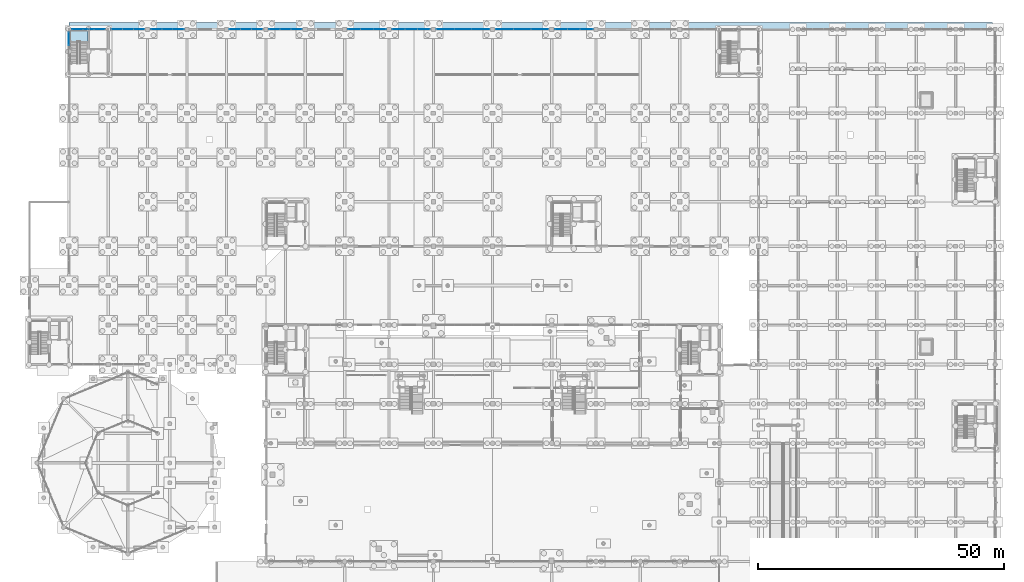
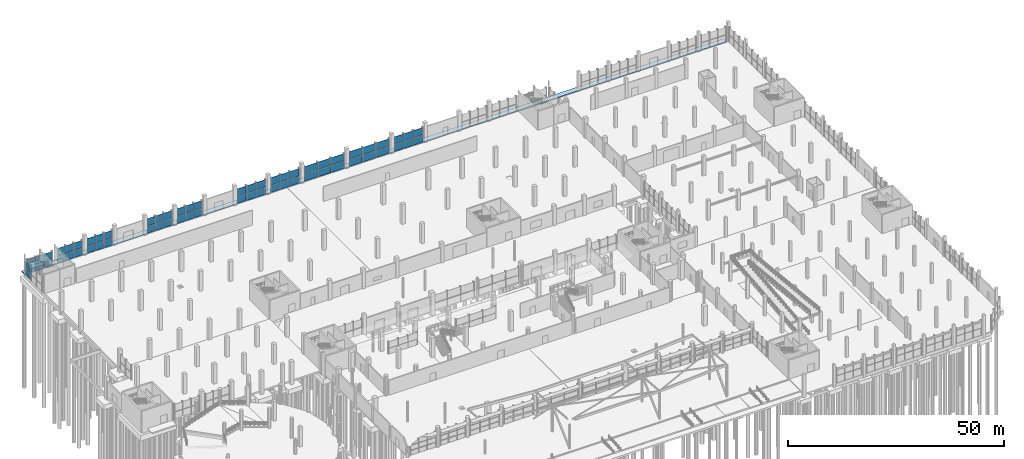
# One storey, part 70 of 98: 62 plates, 2 slabs, 12 elements without a shape of their own.
"""IFC4 building model written with IfcOpenShell, lengths in metres."""

from ifc_helpers import new_model, si_unit, derived_unit, direction, frame, origin, origin_2d, place, context, subcontext, project, spatial, polyline, rectangle, outline, extrude, material, layer, layer_set, type_object, element, aggregate, save


model = new_model("IFC4")

# Units and contexts
model_context = context("Model", 3, precision=1e-05, world=origin(), true_north=direction((0.0, 1.0)))
body_context = subcontext(model_context, "Body", "Model", "MODEL_VIEW")
ifc_project = project(units=[si_unit("LENGTHUNIT", "METRE"), si_unit("AREAUNIT", "SQUARE_METRE"), si_unit("VOLUMEUNIT", "CUBIC_METRE"), si_unit("PLANEANGLEUNIT", "RADIAN"), si_unit("MASSUNIT", "GRAM", prefix="KILO"), si_unit("THERMODYNAMICTEMPERATUREUNIT", "KELVIN"), derived_unit("THERMALTRANSMITTANCEUNIT", [(si_unit("POWERUNIT", "WATT"), 1), (si_unit("AREAUNIT", "SQUARE_METRE"), -1), (si_unit("THERMODYNAMICTEMPERATUREUNIT", "KELVIN"), -1)])], contexts=[model_context])

# Site, building, storey
site_placement = place(None, origin())
site = spatial("IfcSite", under=ifc_project, at=site_placement, CompositionType="ELEMENT")
building_placement = place(site_placement, origin())
building = spatial("IfcBuilding", under=site, at=building_placement, Name="Haiyu Intermodal Mobility Hub", CompositionType="ELEMENT")
storey_placement = place(building_placement, origin())
storey = spatial("IfcBuildingStorey", under=building, at=storey_placement, Name="L00", CompositionType="ELEMENT", Elevation=0.0)

# Curtain wall, plates
ifc_material_1 = material(Name="Low-e laminated insulating glass", Category="glass")
ifc_layer_1 = layer(ifc_material_1, 0.219970703125)
ifc_layer_set_1 = layer_set([ifc_layer_1], Name="Low-e laminated insulating glass")
curtain_wall_type_1 = type_object("IfcCurtainWallType", Name="CW-CW01", PredefinedType="NOTDEFINED", material=ifc_layer_set_1)
curtain_wall_1_placement = place(storey_placement, origin())
curtain_wall_1 = element("IfcCurtainWall", 1, at=curtain_wall_1_placement, inside=storey, type_object=curtain_wall_type_1, Name="Curtain Wall CW-V4N-L00-038", PredefinedType="NOTDEFINED")
ifc_layer_2 = layer(ifc_material_1, 0.035888671875)
ifc_layer_set_2 = layer_set([ifc_layer_2], Name="Low-e laminated insulating glass")
plate_type_1 = type_object("IfcPlateType", Name="PLT-CP01", PredefinedType="CURTAIN_PANEL", material=ifc_layer_set_2)
plate_1_placement = place(storey_placement, frame((36.22705078125, 148.0, 0.03515625), z_axis=(0.0, 0.0, 1.0), x_axis=(-1.0, 0.0, 0.0)))
plate_1 = element("IfcPlate", 2, at=plate_1_placement, type_object=plate_type_1, Name="CW-V4N-L00-038-PN01", PredefinedType="CURTAIN_PANEL", context=body_context, shape_type="SweptSolid", body=[
    extrude(rectangle(XDim=2.136962890625, YDim=0.035888671875, at=origin_2d()), origin(), (0.0, 0.0, 1.0), 2.030029296875),
])
plate_2_placement = place(storey_placement, frame((34.0, 148.0, 0.03515625), z_axis=(0.0, 0.0, 1.0), x_axis=(-1.0, 0.0, 0.0)))
plate_2 = element("IfcPlate", 3, at=plate_2_placement, type_object=plate_type_1, Name="CW-V4N-L00-038-PN03", PredefinedType="CURTAIN_PANEL", context=body_context, shape_type="SweptSolid", body=[
    extrude(rectangle(XDim=2.136962890625, YDim=0.035888671875, at=origin_2d()), origin(), (0.0, 0.0, 1.0), 2.030029296875),
])
plate_3_placement = place(storey_placement, frame((31.77294921875, 148.0, 0.03515625), z_axis=(0.0, 0.0, 1.0), x_axis=(-1.0, 0.0, 0.0)))
plate_3 = element("IfcPlate", 4, at=plate_3_placement, type_object=plate_type_1, Name="CW-V4N-L00-038-PN05", PredefinedType="CURTAIN_PANEL", context=body_context, shape_type="SweptSolid", body=[
    extrude(rectangle(XDim=2.136962890625, YDim=0.035888671875, at=origin_2d()), origin(), (0.0, 0.0, 1.0), 2.030029296875),
])

curtain_wall_2_placement = place(storey_placement, origin())
curtain_wall_2 = element("IfcCurtainWall", 5, at=curtain_wall_2_placement, inside=storey, type_object=curtain_wall_type_1, Name="Curtain Wall CW-V4N-L00-039", PredefinedType="NOTDEFINED")
plate_4_placement = place(storey_placement, frame((44.22705078125, 148.0, 0.03515625), z_axis=(0.0, 0.0, 1.0), x_axis=(-1.0, 0.0, 0.0)))
plate_4 = element("IfcPlate", 6, at=plate_4_placement, type_object=plate_type_1, Name="CW-V4N-L00-039-PN01", PredefinedType="CURTAIN_PANEL", context=body_context, shape_type="SweptSolid", body=[
    extrude(rectangle(XDim=2.136962890625, YDim=0.035888671875, at=origin_2d()), origin(), (0.0, 0.0, 1.0), 2.030029296875),
])
plate_5_placement = place(storey_placement, frame((42.0, 148.0, 0.03515625), z_axis=(0.0, 0.0, 1.0), x_axis=(-1.0, 0.0, 0.0)))
plate_5 = element("IfcPlate", 7, at=plate_5_placement, type_object=plate_type_1, Name="CW-V4N-L00-039-PN03", PredefinedType="CURTAIN_PANEL", context=body_context, shape_type="SweptSolid", body=[
    extrude(rectangle(XDim=2.136962890625, YDim=0.035888671875, at=origin_2d()), origin(), (0.0, 0.0, 1.0), 2.030029296875),
])
plate_6_placement = place(storey_placement, frame((39.77294921875, 148.0, 0.03515625), z_axis=(0.0, 0.0, 1.0), x_axis=(-1.0, 0.0, 0.0)))
plate_6 = element("IfcPlate", 8, at=plate_6_placement, type_object=plate_type_1, Name="CW-V4N-L00-039-PN05", PredefinedType="CURTAIN_PANEL", context=body_context, shape_type="SweptSolid", body=[
    extrude(rectangle(XDim=2.136962890625, YDim=0.035888671875, at=origin_2d()), origin(), (0.0, 0.0, 1.0), 2.030029296875),
])

curtain_wall_3_placement = place(storey_placement, origin())
curtain_wall_3 = element("IfcCurtainWall", 9, at=curtain_wall_3_placement, inside=storey, type_object=curtain_wall_type_1, Name="Curtain Wall CW-V4N-L00-040", PredefinedType="NOTDEFINED")
plate_7_placement = place(storey_placement, frame((60.22705078125, 148.0, 0.03515625), z_axis=(0.0, 0.0, 1.0), x_axis=(-1.0, 0.0, 0.0)))
plate_7 = element("IfcPlate", 10, at=plate_7_placement, type_object=plate_type_1, Name="CW-V4N-L00-040-PN01", PredefinedType="CURTAIN_PANEL", context=body_context, shape_type="SweptSolid", body=[
    extrude(rectangle(XDim=2.136962890625, YDim=0.035888671875, at=origin_2d()), origin(), (0.0, 0.0, 1.0), 2.030029296875),
])
plate_8_placement = place(storey_placement, frame((58.0, 148.0, 0.03515625), z_axis=(0.0, 0.0, 1.0), x_axis=(-1.0, 0.0, 0.0)))
plate_8 = element("IfcPlate", 11, at=plate_8_placement, type_object=plate_type_1, Name="CW-V4N-L00-040-PN03", PredefinedType="CURTAIN_PANEL", context=body_context, shape_type="SweptSolid", body=[
    extrude(rectangle(XDim=2.136962890625, YDim=0.035888671875, at=origin_2d()), origin(), (0.0, 0.0, 1.0), 2.030029296875),
])
plate_9_placement = place(storey_placement, frame((55.77294921875, 148.0, 0.03515625), z_axis=(0.0, 0.0, 1.0), x_axis=(-1.0, 0.0, 0.0)))
plate_9 = element("IfcPlate", 12, at=plate_9_placement, type_object=plate_type_1, Name="CW-V4N-L00-040-PN05", PredefinedType="CURTAIN_PANEL", context=body_context, shape_type="SweptSolid", body=[
    extrude(rectangle(XDim=2.136962890625, YDim=0.035888671875, at=origin_2d()), origin(), (0.0, 0.0, 1.0), 2.030029296875),
])

curtain_wall_4_placement = place(storey_placement, origin())
curtain_wall_4 = element("IfcCurtainWall", 13, at=curtain_wall_4_placement, inside=storey, type_object=curtain_wall_type_1, Name="Curtain Wall CW-V4N-L00-041", PredefinedType="NOTDEFINED")
plate_10_placement = place(storey_placement, frame((68.22705078125, 148.0, 0.03515625), z_axis=(0.0, 0.0, 1.0), x_axis=(-1.0, 0.0, 0.0)))
plate_10 = element("IfcPlate", 14, at=plate_10_placement, type_object=plate_type_1, Name="CW-V4N-L00-041-PN01", PredefinedType="CURTAIN_PANEL", context=body_context, shape_type="SweptSolid", body=[
    extrude(rectangle(XDim=2.136962890625, YDim=0.035888671875, at=origin_2d()), origin(), (0.0, 0.0, 1.0), 2.030029296875),
])
plate_11_placement = place(storey_placement, frame((66.0, 148.0, 0.03515625), z_axis=(0.0, 0.0, 1.0), x_axis=(-1.0, 0.0, 0.0)))
plate_11 = element("IfcPlate", 15, at=plate_11_placement, type_object=plate_type_1, Name="CW-V4N-L00-041-PN03", PredefinedType="CURTAIN_PANEL", context=body_context, shape_type="SweptSolid", body=[
    extrude(rectangle(XDim=2.136962890625, YDim=0.035888671875, at=origin_2d()), origin(), (0.0, 0.0, 1.0), 2.030029296875),
])
plate_12_placement = place(storey_placement, frame((63.77294921875, 148.0, 0.03515625), z_axis=(0.0, 0.0, 1.0), x_axis=(-1.0, 0.0, 0.0)))
plate_12 = element("IfcPlate", 16, at=plate_12_placement, type_object=plate_type_1, Name="CW-V4N-L00-041-PN05", PredefinedType="CURTAIN_PANEL", context=body_context, shape_type="SweptSolid", body=[
    extrude(rectangle(XDim=2.136962890625, YDim=0.035888671875, at=origin_2d()), origin(), (0.0, 0.0, 1.0), 2.030029296875),
])

curtain_wall_5_placement = place(storey_placement, origin())
curtain_wall_5 = element("IfcCurtainWall", 17, at=curtain_wall_5_placement, inside=storey, type_object=curtain_wall_type_1, Name="Curtain Wall CW-V4N-L00-042", PredefinedType="NOTDEFINED")
plate_13_placement = place(storey_placement, frame((85.06005859375, 148.0, 0.03515625), z_axis=(0.0, 0.0, 1.0), x_axis=(-1.0, 0.0, 0.0)))
plate_13 = element("IfcPlate", 18, at=plate_13_placement, type_object=plate_type_1, Name="CW-V4N-L00-042-PN01", PredefinedType="CURTAIN_PANEL", context=body_context, shape_type="SweptSolid", body=[
    extrude(rectangle(XDim=2.469970703125, YDim=0.035888671875, at=origin_2d()), origin(), (0.0, 0.0, 1.0), 2.030029296875),
])
plate_14_placement = place(storey_placement, frame((82.5, 148.0, 0.03515625), z_axis=(0.0, 0.0, 1.0), x_axis=(-1.0, 0.0, 0.0)))
plate_14 = element("IfcPlate", 19, at=plate_14_placement, type_object=plate_type_1, Name="CW-V4N-L00-042-PN03", PredefinedType="CURTAIN_PANEL", context=body_context, shape_type="SweptSolid", body=[
    extrude(rectangle(XDim=2.469970703125, YDim=0.035888671875, at=origin_2d()), origin(), (0.0, 0.0, 1.0), 2.030029296875),
])
plate_15_placement = place(storey_placement, frame((79.93994140625, 148.0, 0.03515625), z_axis=(0.0, 0.0, 1.0), x_axis=(-1.0, 0.0, 0.0)))
plate_15 = element("IfcPlate", 20, at=plate_15_placement, type_object=plate_type_1, Name="CW-V4N-L00-042-PN05", PredefinedType="CURTAIN_PANEL", context=body_context, shape_type="SweptSolid", body=[
    extrude(rectangle(XDim=2.469970703125, YDim=0.035888671875, at=origin_2d()), origin(), (0.0, 0.0, 1.0), 2.030029296875),
])

curtain_wall_6_placement = place(storey_placement, origin())
curtain_wall_6 = element("IfcCurtainWall", 21, at=curtain_wall_6_placement, inside=storey, type_object=curtain_wall_type_1, Name="Curtain Wall CW-V4N-L00-043", PredefinedType="NOTDEFINED")
plate_16_placement = place(storey_placement, frame((94.06005859375, 148.0, 0.03515625), z_axis=(0.0, 0.0, 1.0), x_axis=(-1.0, 0.0, 0.0)))
plate_16 = element("IfcPlate", 22, at=plate_16_placement, type_object=plate_type_1, Name="CW-V4N-L00-043-PN01", PredefinedType="CURTAIN_PANEL", context=body_context, shape_type="SweptSolid", body=[
    extrude(rectangle(XDim=2.469970703125, YDim=0.035888671875, at=origin_2d()), origin(), (0.0, 0.0, 1.0), 2.030029296875),
])
plate_17_placement = place(storey_placement, frame((91.5, 148.0, 0.03515625), z_axis=(0.0, 0.0, 1.0), x_axis=(-1.0, 0.0, 0.0)))
plate_17 = element("IfcPlate", 23, at=plate_17_placement, type_object=plate_type_1, Name="CW-V4N-L00-043-PN03", PredefinedType="CURTAIN_PANEL", context=body_context, shape_type="SweptSolid", body=[
    extrude(rectangle(XDim=2.469970703125, YDim=0.035888671875, at=origin_2d()), origin(), (0.0, 0.0, 1.0), 2.030029296875),
])
plate_18_placement = place(storey_placement, frame((88.93994140625, 148.0, 0.03515625), z_axis=(0.0, 0.0, 1.0), x_axis=(-1.0, 0.0, 0.0)))
plate_18 = element("IfcPlate", 24, at=plate_18_placement, type_object=plate_type_1, Name="CW-V4N-L00-043-PN05", PredefinedType="CURTAIN_PANEL", context=body_context, shape_type="SweptSolid", body=[
    extrude(rectangle(XDim=2.469970703125, YDim=0.035888671875, at=origin_2d()), origin(), (0.0, 0.0, 1.0), 2.030029296875),
])

curtain_wall_7_placement = place(storey_placement, origin())
curtain_wall_7 = element("IfcCurtainWall", 25, at=curtain_wall_7_placement, inside=storey, type_object=curtain_wall_type_1, Name="Curtain Wall CW-V4N-L00-044", PredefinedType="NOTDEFINED")
plate_19_placement = place(storey_placement, frame((105.56005859375, 148.0, 0.03515625), z_axis=(0.0, 0.0, 1.0), x_axis=(-1.0, 0.0, 0.0)))
plate_19 = element("IfcPlate", 26, at=plate_19_placement, type_object=plate_type_1, Name="CW-V4N-L00-044-PN01", PredefinedType="CURTAIN_PANEL", context=body_context, shape_type="SweptSolid", body=[
    extrude(rectangle(XDim=3.469970703125, YDim=0.035888671875, at=origin_2d()), origin(), (0.0, 0.0, 1.0), 2.030029296875),
])
plate_20_placement = place(storey_placement, frame((102.0, 148.0, 0.03515625), z_axis=(0.0, 0.0, 1.0), x_axis=(-1.0, 0.0, 0.0)))
plate_20 = element("IfcPlate", 27, at=plate_20_placement, type_object=plate_type_1, Name="CW-V4N-L00-044-PN03", PredefinedType="CURTAIN_PANEL", context=body_context, shape_type="SweptSolid", body=[
    extrude(rectangle(XDim=3.469970703125, YDim=0.035888671875, at=origin_2d()), origin(), (0.0, 0.0, 1.0), 2.030029296875),
])
plate_21_placement = place(storey_placement, frame((98.43994140625, 148.0, 0.03515625), z_axis=(0.0, 0.0, 1.0), x_axis=(-1.0, 0.0, 0.0)))
plate_21 = element("IfcPlate", 28, at=plate_21_placement, type_object=plate_type_1, Name="CW-V4N-L00-044-PN05", PredefinedType="CURTAIN_PANEL", context=body_context, shape_type="SweptSolid", body=[
    extrude(rectangle(XDim=3.469970703125, YDim=0.035888671875, at=origin_2d()), origin(), (0.0, 0.0, 1.0), 2.030029296875),
])

curtain_wall_8_placement = place(storey_placement, origin())
curtain_wall_8 = element("IfcCurtainWall", 29, at=curtain_wall_8_placement, inside=storey, type_object=curtain_wall_type_1, Name="Curtain Wall CW-V4N-L00-045", PredefinedType="NOTDEFINED")
plate_22_placement = place(storey_placement, frame((117.56005859375, 148.0, 0.03515625), z_axis=(0.0, 0.0, 1.0), x_axis=(-1.0, 0.0, 0.0)))
plate_22 = element("IfcPlate", 30, at=plate_22_placement, type_object=plate_type_1, Name="CW-V4N-L00-045-PN01", PredefinedType="CURTAIN_PANEL", context=body_context, shape_type="SweptSolid", body=[
    extrude(rectangle(XDim=3.469970703125, YDim=0.035888671875, at=origin_2d()), origin(), (0.0, 0.0, 1.0), 2.030029296875),
])
plate_23_placement = place(storey_placement, frame((114.0, 148.0, 0.03515625), z_axis=(0.0, 0.0, 1.0), x_axis=(-1.0, 0.0, 0.0)))
plate_23 = element("IfcPlate", 31, at=plate_23_placement, type_object=plate_type_1, Name="CW-V4N-L00-045-PN03", PredefinedType="CURTAIN_PANEL", context=body_context, shape_type="SweptSolid", body=[
    extrude(rectangle(XDim=3.469970703125, YDim=0.035888671875, at=origin_2d()), origin(), (0.0, 0.0, 1.0), 2.030029296875),
])
plate_24_placement = place(storey_placement, frame((110.43994140625, 148.0, 0.03515625), z_axis=(0.0, 0.0, 1.0), x_axis=(-1.0, 0.0, 0.0)))
plate_24 = element("IfcPlate", 32, at=plate_24_placement, type_object=plate_type_1, Name="CW-V4N-L00-045-PN05", PredefinedType="CURTAIN_PANEL", context=body_context, shape_type="SweptSolid", body=[
    extrude(rectangle(XDim=3.469970703125, YDim=0.035888671875, at=origin_2d()), origin(), (0.0, 0.0, 1.0), 2.030029296875),
])

curtain_wall_9_placement = place(storey_placement, origin())
curtain_wall_9 = element("IfcCurtainWall", 33, at=curtain_wall_9_placement, inside=storey, type_object=curtain_wall_type_1, Name="Curtain Wall CW-V4N-L00-046", PredefinedType="NOTDEFINED")
plate_25_placement = place(storey_placement, frame((127.06005859375, 148.0, 0.03515625), z_axis=(0.0, 0.0, 1.0), x_axis=(-1.0, 0.0, 0.0)))
plate_25 = element("IfcPlate", 34, at=plate_25_placement, type_object=plate_type_1, Name="CW-V4N-L00-046-PN01", PredefinedType="CURTAIN_PANEL", context=body_context, shape_type="SweptSolid", body=[
    extrude(rectangle(XDim=2.469970703125, YDim=0.035888671875, at=origin_2d()), origin(), (0.0, 0.0, 1.0), 2.030029296875),
])
plate_26_placement = place(storey_placement, frame((124.5, 148.0, 0.03515625), z_axis=(0.0, 0.0, 1.0), x_axis=(-1.0, 0.0, 0.0)))
plate_26 = element("IfcPlate", 35, at=plate_26_placement, type_object=plate_type_1, Name="CW-V4N-L00-046-PN03", PredefinedType="CURTAIN_PANEL", context=body_context, shape_type="SweptSolid", body=[
    extrude(rectangle(XDim=2.469970703125, YDim=0.035888671875, at=origin_2d()), origin(), (0.0, 0.0, 1.0), 2.030029296875),
])
plate_27_placement = place(storey_placement, frame((121.93994140625, 148.0, 0.03515625), z_axis=(0.0, 0.0, 1.0), x_axis=(-1.0, 0.0, 0.0)))
plate_27 = element("IfcPlate", 36, at=plate_27_placement, type_object=plate_type_1, Name="CW-V4N-L00-046-PN05", PredefinedType="CURTAIN_PANEL", context=body_context, shape_type="SweptSolid", body=[
    extrude(rectangle(XDim=2.469970703125, YDim=0.035888671875, at=origin_2d()), origin(), (0.0, 0.0, 1.0), 2.030029296875),
])

ifc_layer_3 = layer(ifc_material_1, 0.199951171875)
ifc_layer_set_3 = layer_set([ifc_layer_3], Name="Low-e laminated insulating glass")
curtain_wall_type_2 = type_object("IfcCurtainWallType", Name="CW-CW03", PredefinedType="NOTDEFINED", material=ifc_layer_set_3)
curtain_wall_10_placement = place(storey_placement, origin())
curtain_wall_10 = element("IfcCurtainWall", 37, at=curtain_wall_10_placement, inside=storey, type_object=curtain_wall_type_2, Name="Curtain Wall CW-C3N-L00-049", PredefinedType="NOTDEFINED")
ifc_layer_4 = layer(ifc_material_1, 0.0400390625)
ifc_layer_set_4 = layer_set([ifc_layer_4], Name="Low-e laminated insulating glass")
plate_type_2 = type_object("IfcPlateType", Name="PLT-CP03", PredefinedType="CURTAIN_PANEL", material=ifc_layer_set_4)
plate_28_placement = place(storey_placement, frame((28.22705078125, 148.0, 0.03515625), z_axis=(0.0, 0.0, 1.0), x_axis=(-1.0, 0.0, 0.0)))
plate_28 = element("IfcPlate", 38, at=plate_28_placement, type_object=plate_type_2, Name="CW-C3N-L00-049-PN01", PredefinedType="CURTAIN_PANEL", context=body_context, shape_type="SweptSolid", body=[
    extrude(rectangle(XDim=2.136962890625, YDim=0.0400390625, at=origin_2d()), origin(), (0.0, 0.0, 1.0), 1.840087890625),
])
plate_29_placement = place(storey_placement, frame((26.0, 148.0, 0.03515625), z_axis=(0.0, 0.0, 1.0), x_axis=(-1.0, 0.0, 0.0)))
plate_29 = element("IfcPlate", 39, at=plate_29_placement, type_object=plate_type_2, Name="CW-C3N-L00-049-PN03", PredefinedType="CURTAIN_PANEL", context=body_context, shape_type="SweptSolid", body=[
    extrude(rectangle(XDim=2.136962890625, YDim=0.0400390625, at=origin_2d()), origin(), (0.0, 0.0, 1.0), 1.840087890625),
])
plate_30_placement = place(storey_placement, frame((23.77294921875, 148.0, 0.03515625), z_axis=(0.0, 0.0, 1.0), x_axis=(-1.0, 0.0, 0.0)))
plate_30 = element("IfcPlate", 40, at=plate_30_placement, type_object=plate_type_2, Name="CW-C3N-L00-049-PN05", PredefinedType="CURTAIN_PANEL", context=body_context, shape_type="SweptSolid", body=[
    extrude(rectangle(XDim=2.136962890625, YDim=0.0400390625, at=origin_2d()), origin(), (0.0, 0.0, 1.0), 1.840087890625),
])

# Curtain wall, plate
curtain_wall_11_placement = place(storey_placement, origin())
curtain_wall_11 = element("IfcCurtainWall", 41, at=curtain_wall_11_placement, inside=storey, type_object=curtain_wall_type_2, Name="Curtain Wall CW-C3S-L00-050", PredefinedType="NOTDEFINED")
plate_31_placement = place(storey_placement, frame((22.0, 146.06005859375, 0.03515625), z_axis=(0.0, 0.0, 1.0), x_axis=(0.0, -1.0, 0.0)))
plate_31 = element("IfcPlate", 42, at=plate_31_placement, type_object=plate_type_2, Name="CW-C3S-L00-050-PN01", PredefinedType="CURTAIN_PANEL", context=body_context, shape_type="SweptSolid", body=[
    extrude(rectangle(XDim=2.469970703125, YDim=0.0400390625, at=origin_2d()), origin(), (0.0, 0.0, 1.0), 1.840087890625),
])

# Plate
ifc_layer_5 = layer(ifc_material_1, 0.0439453125)
ifc_layer_set_5 = layer_set([ifc_layer_5], Name="Low-e laminated insulating glass")
plate_type_3 = type_object("IfcPlateType", Name="PLT-CP04", PredefinedType="CURTAIN_PANEL", material=ifc_layer_set_5)
plate_32_placement = place(storey_placement, frame((36.22705078125, 148.0, 2.134765625), z_axis=(0.0, 0.0, 1.0), x_axis=(-1.0, 0.0, 0.0)))
plate_32 = element("IfcPlate", 43, at=plate_32_placement, type_object=plate_type_3, Name="CW-V4N-L00-038-PN02", PredefinedType="CURTAIN_PANEL", context=body_context, shape_type="SweptSolid", body=[
    extrude(rectangle(XDim=2.136962890625, YDim=0.0439453125, at=origin_2d()), origin(), (0.0, 0.0, 1.0), 2.030029296875),
])

plate_33_placement = place(storey_placement, frame((34.0, 148.0, 2.134765625), z_axis=(0.0, 0.0, 1.0), x_axis=(-1.0, 0.0, 0.0)))
plate_33 = element("IfcPlate", 44, at=plate_33_placement, type_object=plate_type_3, Name="CW-V4N-L00-038-PN04", PredefinedType="CURTAIN_PANEL", context=body_context, shape_type="SweptSolid", body=[
    extrude(rectangle(XDim=2.136962890625, YDim=0.0439453125, at=origin_2d()), origin(), (0.0, 0.0, 1.0), 2.030029296875),
])

plate_34_placement = place(storey_placement, frame((31.77294921875, 148.0, 2.134765625), z_axis=(0.0, 0.0, 1.0), x_axis=(-1.0, 0.0, 0.0)))
plate_34 = element("IfcPlate", 45, at=plate_34_placement, type_object=plate_type_3, Name="CW-V4N-L00-038-PN06", PredefinedType="CURTAIN_PANEL", context=body_context, shape_type="SweptSolid", body=[
    extrude(rectangle(XDim=2.136962890625, YDim=0.0439453125, at=origin_2d()), origin(), (0.0, 0.0, 1.0), 2.030029296875),
])

aggregate(curtain_wall_1, [plate_1, plate_32, plate_2, plate_33, plate_3, plate_34])

plate_35_placement = place(storey_placement, frame((44.22705078125, 148.0, 2.134765625), z_axis=(0.0, 0.0, 1.0), x_axis=(-1.0, 0.0, 0.0)))
plate_35 = element("IfcPlate", 46, at=plate_35_placement, type_object=plate_type_3, Name="CW-V4N-L00-039-PN02", PredefinedType="CURTAIN_PANEL", context=body_context, shape_type="SweptSolid", body=[
    extrude(rectangle(XDim=2.136962890625, YDim=0.0439453125, at=origin_2d()), origin(), (0.0, 0.0, 1.0), 2.030029296875),
])

plate_36_placement = place(storey_placement, frame((42.0, 148.0, 2.134765625), z_axis=(0.0, 0.0, 1.0), x_axis=(-1.0, 0.0, 0.0)))
plate_36 = element("IfcPlate", 47, at=plate_36_placement, type_object=plate_type_3, Name="CW-V4N-L00-039-PN04", PredefinedType="CURTAIN_PANEL", context=body_context, shape_type="SweptSolid", body=[
    extrude(rectangle(XDim=2.136962890625, YDim=0.0439453125, at=origin_2d()), origin(), (0.0, 0.0, 1.0), 2.030029296875),
])

plate_37_placement = place(storey_placement, frame((39.77294921875, 148.0, 2.134765625), z_axis=(0.0, 0.0, 1.0), x_axis=(-1.0, 0.0, 0.0)))
plate_37 = element("IfcPlate", 48, at=plate_37_placement, type_object=plate_type_3, Name="CW-V4N-L00-039-PN06", PredefinedType="CURTAIN_PANEL", context=body_context, shape_type="SweptSolid", body=[
    extrude(rectangle(XDim=2.136962890625, YDim=0.0439453125, at=origin_2d()), origin(), (0.0, 0.0, 1.0), 2.030029296875),
])

aggregate(curtain_wall_2, [plate_4, plate_35, plate_5, plate_36, plate_6, plate_37])

plate_38_placement = place(storey_placement, frame((60.22705078125, 148.0, 2.134765625), z_axis=(0.0, 0.0, 1.0), x_axis=(-1.0, 0.0, 0.0)))
plate_38 = element("IfcPlate", 49, at=plate_38_placement, type_object=plate_type_3, Name="CW-V4N-L00-040-PN02", PredefinedType="CURTAIN_PANEL", context=body_context, shape_type="SweptSolid", body=[
    extrude(rectangle(XDim=2.136962890625, YDim=0.0439453125, at=origin_2d()), origin(), (0.0, 0.0, 1.0), 2.030029296875),
])

plate_39_placement = place(storey_placement, frame((58.0, 148.0, 2.134765625), z_axis=(0.0, 0.0, 1.0), x_axis=(-1.0, 0.0, 0.0)))
plate_39 = element("IfcPlate", 50, at=plate_39_placement, type_object=plate_type_3, Name="CW-V4N-L00-040-PN04", PredefinedType="CURTAIN_PANEL", context=body_context, shape_type="SweptSolid", body=[
    extrude(rectangle(XDim=2.136962890625, YDim=0.0439453125, at=origin_2d()), origin(), (0.0, 0.0, 1.0), 2.030029296875),
])

plate_40_placement = place(storey_placement, frame((55.77294921875, 148.0, 2.134765625), z_axis=(0.0, 0.0, 1.0), x_axis=(-1.0, 0.0, 0.0)))
plate_40 = element("IfcPlate", 51, at=plate_40_placement, type_object=plate_type_3, Name="CW-V4N-L00-040-PN06", PredefinedType="CURTAIN_PANEL", context=body_context, shape_type="SweptSolid", body=[
    extrude(rectangle(XDim=2.136962890625, YDim=0.0439453125, at=origin_2d()), origin(), (0.0, 0.0, 1.0), 2.030029296875),
])

aggregate(curtain_wall_3, [plate_7, plate_38, plate_8, plate_39, plate_9, plate_40])

plate_41_placement = place(storey_placement, frame((68.22705078125, 148.0, 2.134765625), z_axis=(0.0, 0.0, 1.0), x_axis=(-1.0, 0.0, 0.0)))
plate_41 = element("IfcPlate", 52, at=plate_41_placement, type_object=plate_type_3, Name="CW-V4N-L00-041-PN02", PredefinedType="CURTAIN_PANEL", context=body_context, shape_type="SweptSolid", body=[
    extrude(rectangle(XDim=2.136962890625, YDim=0.0439453125, at=origin_2d()), origin(), (0.0, 0.0, 1.0), 2.030029296875),
])

plate_42_placement = place(storey_placement, frame((66.0, 148.0, 2.134765625), z_axis=(0.0, 0.0, 1.0), x_axis=(-1.0, 0.0, 0.0)))
plate_42 = element("IfcPlate", 53, at=plate_42_placement, type_object=plate_type_3, Name="CW-V4N-L00-041-PN04", PredefinedType="CURTAIN_PANEL", context=body_context, shape_type="SweptSolid", body=[
    extrude(rectangle(XDim=2.136962890625, YDim=0.0439453125, at=origin_2d()), origin(), (0.0, 0.0, 1.0), 2.030029296875),
])

plate_43_placement = place(storey_placement, frame((63.77294921875, 148.0, 2.134765625), z_axis=(0.0, 0.0, 1.0), x_axis=(-1.0, 0.0, 0.0)))
plate_43 = element("IfcPlate", 54, at=plate_43_placement, type_object=plate_type_3, Name="CW-V4N-L00-041-PN06", PredefinedType="CURTAIN_PANEL", context=body_context, shape_type="SweptSolid", body=[
    extrude(rectangle(XDim=2.136962890625, YDim=0.0439453125, at=origin_2d()), origin(), (0.0, 0.0, 1.0), 2.030029296875),
])

aggregate(curtain_wall_4, [plate_10, plate_41, plate_11, plate_42, plate_12, plate_43])

plate_44_placement = place(storey_placement, frame((85.06005859375, 148.0, 2.134765625), z_axis=(0.0, 0.0, 1.0), x_axis=(-1.0, 0.0, 0.0)))
plate_44 = element("IfcPlate", 55, at=plate_44_placement, type_object=plate_type_3, Name="CW-V4N-L00-042-PN02", PredefinedType="CURTAIN_PANEL", context=body_context, shape_type="SweptSolid", body=[
    extrude(rectangle(XDim=2.469970703125, YDim=0.0439453125, at=origin_2d()), origin(), (0.0, 0.0, 1.0), 2.030029296875),
])

plate_45_placement = place(storey_placement, frame((82.5, 148.0, 2.134765625), z_axis=(0.0, 0.0, 1.0), x_axis=(-1.0, 0.0, 0.0)))
plate_45 = element("IfcPlate", 56, at=plate_45_placement, type_object=plate_type_3, Name="CW-V4N-L00-042-PN04", PredefinedType="CURTAIN_PANEL", context=body_context, shape_type="SweptSolid", body=[
    extrude(rectangle(XDim=2.469970703125, YDim=0.0439453125, at=origin_2d()), origin(), (0.0, 0.0, 1.0), 2.030029296875),
])

plate_46_placement = place(storey_placement, frame((79.93994140625, 148.0, 2.134765625), z_axis=(0.0, 0.0, 1.0), x_axis=(-1.0, 0.0, 0.0)))
plate_46 = element("IfcPlate", 57, at=plate_46_placement, type_object=plate_type_3, Name="CW-V4N-L00-042-PN06", PredefinedType="CURTAIN_PANEL", context=body_context, shape_type="SweptSolid", body=[
    extrude(rectangle(XDim=2.469970703125, YDim=0.0439453125, at=origin_2d()), origin(), (0.0, 0.0, 1.0), 2.030029296875),
])

aggregate(curtain_wall_5, [plate_13, plate_44, plate_14, plate_45, plate_15, plate_46])

plate_47_placement = place(storey_placement, frame((94.06005859375, 148.0, 2.134765625), z_axis=(0.0, 0.0, 1.0), x_axis=(-1.0, 0.0, 0.0)))
plate_47 = element("IfcPlate", 58, at=plate_47_placement, type_object=plate_type_3, Name="CW-V4N-L00-043-PN02", PredefinedType="CURTAIN_PANEL", context=body_context, shape_type="SweptSolid", body=[
    extrude(rectangle(XDim=2.469970703125, YDim=0.0439453125, at=origin_2d()), origin(), (0.0, 0.0, 1.0), 2.030029296875),
])

plate_48_placement = place(storey_placement, frame((91.5, 148.0, 2.134765625), z_axis=(0.0, 0.0, 1.0), x_axis=(-1.0, 0.0, 0.0)))
plate_48 = element("IfcPlate", 59, at=plate_48_placement, type_object=plate_type_3, Name="CW-V4N-L00-043-PN04", PredefinedType="CURTAIN_PANEL", context=body_context, shape_type="SweptSolid", body=[
    extrude(rectangle(XDim=2.469970703125, YDim=0.0439453125, at=origin_2d()), origin(), (0.0, 0.0, 1.0), 2.030029296875),
])

plate_49_placement = place(storey_placement, frame((88.93994140625, 148.0, 2.134765625), z_axis=(0.0, 0.0, 1.0), x_axis=(-1.0, 0.0, 0.0)))
plate_49 = element("IfcPlate", 60, at=plate_49_placement, type_object=plate_type_3, Name="CW-V4N-L00-043-PN06", PredefinedType="CURTAIN_PANEL", context=body_context, shape_type="SweptSolid", body=[
    extrude(rectangle(XDim=2.469970703125, YDim=0.0439453125, at=origin_2d()), origin(), (0.0, 0.0, 1.0), 2.030029296875),
])

aggregate(curtain_wall_6, [plate_16, plate_47, plate_17, plate_48, plate_18, plate_49])

plate_50_placement = place(storey_placement, frame((105.56005859375, 148.0, 2.134765625), z_axis=(0.0, 0.0, 1.0), x_axis=(-1.0, 0.0, 0.0)))
plate_50 = element("IfcPlate", 61, at=plate_50_placement, type_object=plate_type_3, Name="CW-V4N-L00-044-PN02", PredefinedType="CURTAIN_PANEL", context=body_context, shape_type="SweptSolid", body=[
    extrude(rectangle(XDim=3.469970703125, YDim=0.0439453125, at=origin_2d()), origin(), (0.0, 0.0, 1.0), 2.030029296875),
])

plate_51_placement = place(storey_placement, frame((102.0, 148.0, 2.134765625), z_axis=(0.0, 0.0, 1.0), x_axis=(-1.0, 0.0, 0.0)))
plate_51 = element("IfcPlate", 62, at=plate_51_placement, type_object=plate_type_3, Name="CW-V4N-L00-044-PN04", PredefinedType="CURTAIN_PANEL", context=body_context, shape_type="SweptSolid", body=[
    extrude(rectangle(XDim=3.469970703125, YDim=0.0439453125, at=origin_2d()), origin(), (0.0, 0.0, 1.0), 2.030029296875),
])

plate_52_placement = place(storey_placement, frame((98.43994140625, 148.0, 2.134765625), z_axis=(0.0, 0.0, 1.0), x_axis=(-1.0, 0.0, 0.0)))
plate_52 = element("IfcPlate", 63, at=plate_52_placement, type_object=plate_type_3, Name="CW-V4N-L00-044-PN06", PredefinedType="CURTAIN_PANEL", context=body_context, shape_type="SweptSolid", body=[
    extrude(rectangle(XDim=3.469970703125, YDim=0.0439453125, at=origin_2d()), origin(), (0.0, 0.0, 1.0), 2.030029296875),
])

aggregate(curtain_wall_7, [plate_19, plate_50, plate_20, plate_51, plate_21, plate_52])

plate_53_placement = place(storey_placement, frame((117.56005859375, 148.0, 2.134765625), z_axis=(0.0, 0.0, 1.0), x_axis=(-1.0, 0.0, 0.0)))
plate_53 = element("IfcPlate", 64, at=plate_53_placement, type_object=plate_type_3, Name="CW-V4N-L00-045-PN02", PredefinedType="CURTAIN_PANEL", context=body_context, shape_type="SweptSolid", body=[
    extrude(rectangle(XDim=3.469970703125, YDim=0.0439453125, at=origin_2d()), origin(), (0.0, 0.0, 1.0), 2.030029296875),
])

plate_54_placement = place(storey_placement, frame((114.0, 148.0, 2.134765625), z_axis=(0.0, 0.0, 1.0), x_axis=(-1.0, 0.0, 0.0)))
plate_54 = element("IfcPlate", 65, at=plate_54_placement, type_object=plate_type_3, Name="CW-V4N-L00-045-PN04", PredefinedType="CURTAIN_PANEL", context=body_context, shape_type="SweptSolid", body=[
    extrude(rectangle(XDim=3.469970703125, YDim=0.0439453125, at=origin_2d()), origin(), (0.0, 0.0, 1.0), 2.030029296875),
])

plate_55_placement = place(storey_placement, frame((110.43994140625, 148.0, 2.134765625), z_axis=(0.0, 0.0, 1.0), x_axis=(-1.0, 0.0, 0.0)))
plate_55 = element("IfcPlate", 66, at=plate_55_placement, type_object=plate_type_3, Name="CW-V4N-L00-045-PN06", PredefinedType="CURTAIN_PANEL", context=body_context, shape_type="SweptSolid", body=[
    extrude(rectangle(XDim=3.469970703125, YDim=0.0439453125, at=origin_2d()), origin(), (0.0, 0.0, 1.0), 2.030029296875),
])

aggregate(curtain_wall_8, [plate_22, plate_53, plate_23, plate_54, plate_24, plate_55])

plate_56_placement = place(storey_placement, frame((127.06005859375, 148.0, 2.134765625), z_axis=(0.0, 0.0, 1.0), x_axis=(-1.0, 0.0, 0.0)))
plate_56 = element("IfcPlate", 67, at=plate_56_placement, type_object=plate_type_3, Name="CW-V4N-L00-046-PN02", PredefinedType="CURTAIN_PANEL", context=body_context, shape_type="SweptSolid", body=[
    extrude(rectangle(XDim=2.469970703125, YDim=0.0439453125, at=origin_2d()), origin(), (0.0, 0.0, 1.0), 2.030029296875),
])

plate_57_placement = place(storey_placement, frame((124.5, 148.0, 2.134765625), z_axis=(0.0, 0.0, 1.0), x_axis=(-1.0, 0.0, 0.0)))
plate_57 = element("IfcPlate", 68, at=plate_57_placement, type_object=plate_type_3, Name="CW-V4N-L00-046-PN04", PredefinedType="CURTAIN_PANEL", context=body_context, shape_type="SweptSolid", body=[
    extrude(rectangle(XDim=2.469970703125, YDim=0.0439453125, at=origin_2d()), origin(), (0.0, 0.0, 1.0), 2.030029296875),
])

plate_58_placement = place(storey_placement, frame((121.93994140625, 148.0, 2.134765625), z_axis=(0.0, 0.0, 1.0), x_axis=(-1.0, 0.0, 0.0)))
plate_58 = element("IfcPlate", 69, at=plate_58_placement, type_object=plate_type_3, Name="CW-V4N-L00-046-PN06", PredefinedType="CURTAIN_PANEL", context=body_context, shape_type="SweptSolid", body=[
    extrude(rectangle(XDim=2.469970703125, YDim=0.0439453125, at=origin_2d()), origin(), (0.0, 0.0, 1.0), 2.030029296875),
])

aggregate(curtain_wall_9, [plate_25, plate_56, plate_26, plate_57, plate_27, plate_58])

plate_59_placement = place(storey_placement, frame((28.22705078125, 148.0, 1.94482421875), z_axis=(0.0, 0.0, 1.0), x_axis=(-1.0, 0.0, 0.0)))
plate_59 = element("IfcPlate", 70, at=plate_59_placement, type_object=plate_type_3, Name="CW-C3N-L00-049-PN02", PredefinedType="CURTAIN_PANEL", context=body_context, shape_type="SweptSolid", body=[
    extrude(rectangle(XDim=2.136962890625, YDim=0.0439453125, at=origin_2d()), origin(), (0.0, 0.0, 1.0), 1.840087890625),
])

plate_60_placement = place(storey_placement, frame((26.0, 148.0, 1.94482421875), z_axis=(0.0, 0.0, 1.0), x_axis=(-1.0, 0.0, 0.0)))
plate_60 = element("IfcPlate", 71, at=plate_60_placement, type_object=plate_type_3, Name="CW-C3N-L00-049-PN04", PredefinedType="CURTAIN_PANEL", context=body_context, shape_type="SweptSolid", body=[
    extrude(rectangle(XDim=2.136962890625, YDim=0.0439453125, at=origin_2d()), origin(), (0.0, 0.0, 1.0), 1.840087890625),
])

plate_61_placement = place(storey_placement, frame((23.77294921875, 148.0, 1.94482421875), z_axis=(0.0, 0.0, 1.0), x_axis=(-1.0, 0.0, 0.0)))
plate_61 = element("IfcPlate", 72, at=plate_61_placement, type_object=plate_type_3, Name="CW-C3N-L00-049-PN06", PredefinedType="CURTAIN_PANEL", context=body_context, shape_type="SweptSolid", body=[
    extrude(rectangle(XDim=2.136962890625, YDim=0.0439453125, at=origin_2d()), origin(), (0.0, 0.0, 1.0), 1.840087890625),
])

aggregate(curtain_wall_10, [plate_28, plate_59, plate_29, plate_60, plate_30, plate_61])

plate_62_placement = place(storey_placement, frame((22.0, 146.06005859375, 1.94482421875), z_axis=(0.0, 0.0, 1.0), x_axis=(0.0, -1.0, 0.0)))
plate_62 = element("IfcPlate", 73, at=plate_62_placement, type_object=plate_type_3, Name="CW-C3S-L00-050-PN02", PredefinedType="CURTAIN_PANEL", context=body_context, shape_type="SweptSolid", body=[
    extrude(rectangle(XDim=2.469970703125, YDim=0.0439453125, at=origin_2d()), origin(), (0.0, 0.0, 1.0), 1.840087890625),
])

aggregate(curtain_wall_11, [plate_31, plate_62])

# Slab
ifc_material_2 = material(Name="Concrete C40", Category="concrete")
ifc_layer_6 = layer(ifc_material_2, 0.320068359375)
ifc_layer_set_6 = layer_set([ifc_layer_6], Name="Concrete C40")
slab_type_1 = type_object("IfcSlabType", Name="SLB-SL03", PredefinedType="BASESLAB", material=ifc_layer_set_6)
slab_1_placement = place(storey_placement, frame((0.0, 0.0, -0.320068359375)))
element("IfcSlab", 74, at=slab_1_placement, inside=storey, type_object=slab_type_1, Name="North Exit Plinth Apron", PredefinedType="BASESLAB", context=body_context, shape_type="SweptSolid", body=[
    extrude(outline(polyline([(22.0, 148.02001953125), (209.5, 148.02001953125), (209.5, 149.39990234375), (22.0, 149.39990234375), (22.0, 148.02001953125)])), origin(), (0.0, 0.0, 1.0), 0.320068359375),
])

# Stair, slab
stair_type = type_object("IfcStairType", Name="STR-ST01", PredefinedType="HALF_TURN_STAIR", material=ifc_material_2)
stair_placement = place(storey_placement, origin())
stair = element("IfcStair", 75, at=stair_placement, inside=storey, type_object=stair_type, Name="Exit Stair ST02 L00", PredefinedType="HALF_TURN_STAIR")
ifc_layer_7 = layer(ifc_material_2, 0.2099609375)
ifc_layer_set_7 = layer_set([ifc_layer_7], Name="Concrete C40")
slab_type_2 = type_object("IfcSlabType", Name="SLB-SL13", PredefinedType="LANDING", material=ifc_layer_set_7)
slab_2_placement = place(storey_placement, frame((0.0, 0.0, 2.590087890625)))
slab_2 = element("IfcSlab", 76, at=slab_2_placement, type_object=slab_type_2, Name="Stair Half-Landing STR-C3-L00-LND", PredefinedType="LANDING", context=body_context, shape_type="SweptSolid", body=[
    extrude(outline(polyline([(22.219970703125, 145.530029296875), (25.8701171875, 145.530029296875), (25.8701171875, 147.780029296875), (22.219970703125, 147.780029296875), (22.219970703125, 145.530029296875)])), origin(), (0.0, 0.0, 1.0), 0.2099609375),
])
aggregate(stair, [slab_2])

save(model, "model.ifc")
